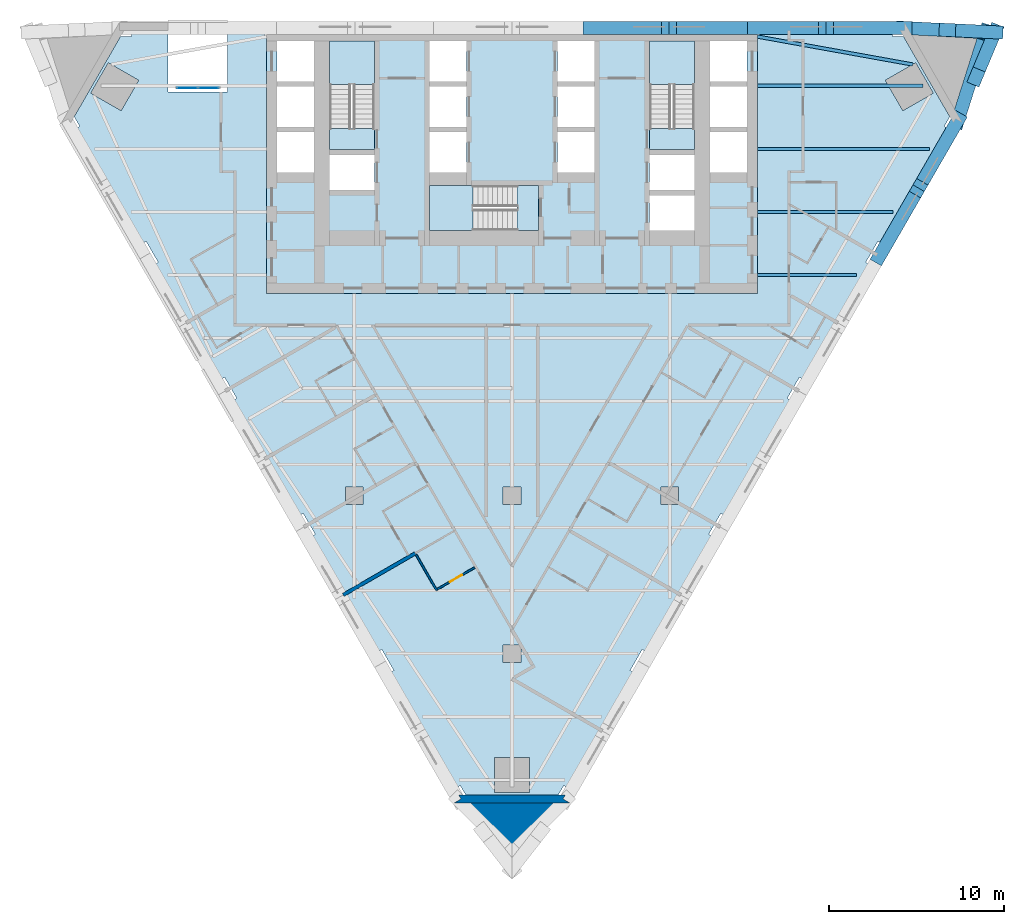
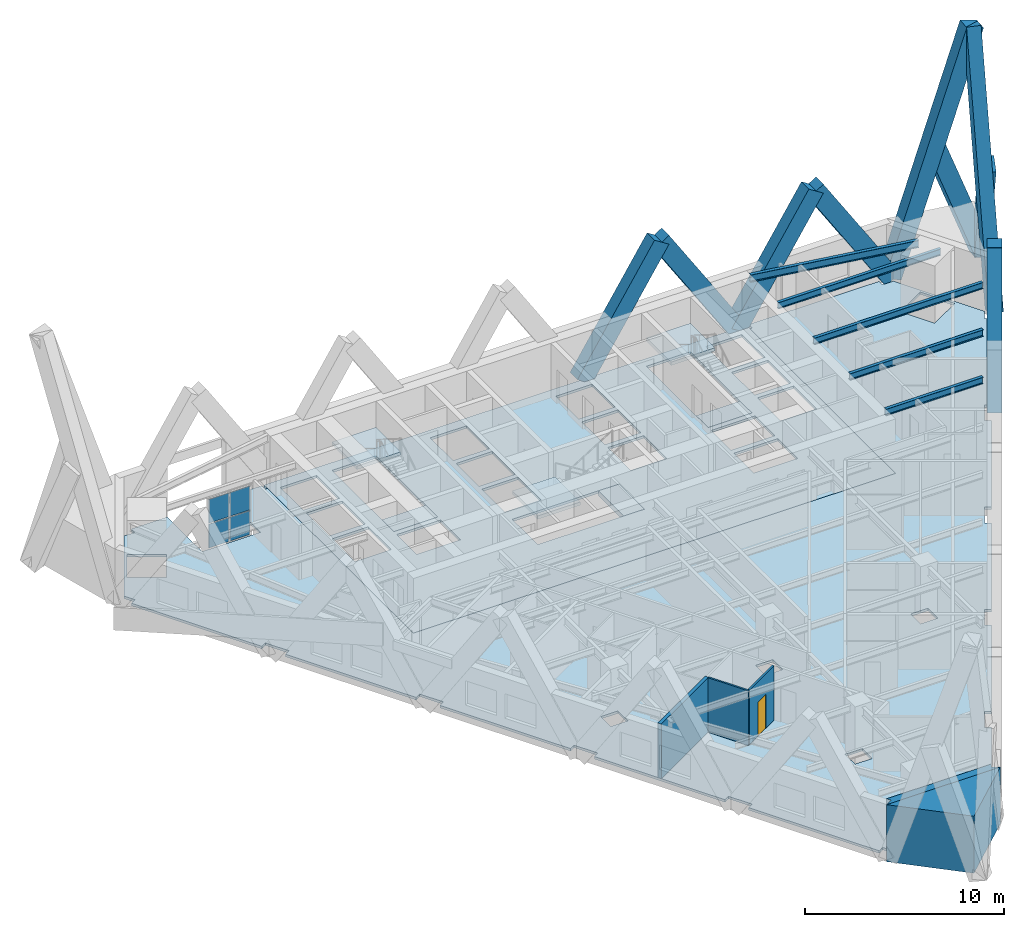
# One storey, part 3 of 11: 10 members, 8 slabs, 5 beams, 5 walls, 4 plates, 1 door, 1 opening, 4 elements without a shape of their own.
"""IFC4 building model written with IfcOpenShell, lengths in metres."""

from ifc_helpers import new_model, si_unit, direction, frame, frame_2d, origin, origin_2d, place, context, subcontext, project, spatial, polyline, rectangle, i_section, outline, extrude, material, layer, layer_set, material_profile, profile_set, type_object, element, fill, aggregate, save


model = new_model("IFC4")

# Units and contexts
model_context = context("Model", 3, precision=1e-05, world=origin(), true_north=direction((0.0, 1.0)))
body_context = subcontext(model_context, "Body", "Model", "MODEL_VIEW")
ifc_project = project(units=[si_unit("LENGTHUNIT", "METRE"), si_unit("AREAUNIT", "SQUARE_METRE"), si_unit("VOLUMEUNIT", "CUBIC_METRE"), si_unit("PLANEANGLEUNIT", "RADIAN"), si_unit("MASSUNIT", "GRAM", prefix="KILO")], contexts=[model_context])

# Site, building, storey
site_placement = place(None, origin())
site = spatial("IfcSite", under=ifc_project, at=site_placement, CompositionType="ELEMENT")
building_placement = place(site_placement, origin())
building = spatial("IfcBuilding", under=site, at=building_placement, Name="Aloe Facet Convention Tower", CompositionType="ELEMENT")
storey_placement = place(building_placement, frame((0.0, 0.0, 49.0)))
storey = spatial("IfcBuildingStorey", under=building, at=storey_placement, Name="L10", CompositionType="ELEMENT", Elevation=49.0)

# Beams
ifc_material_1 = material(Name="Steel S355", Category="steel")
ifc_material_profile_1 = material_profile(ifc_material_1, i_section(OverallWidth=0.177734375, OverallDepth=0.402587890625, WebThickness=0.0078125, FlangeThickness=0.010986328125, FilletRadius=0.01025390625, at=origin_2d()), Name="UB 406x178x54")
ifc_profile_set_1 = profile_set([ifc_material_profile_1], Name="Steel S355")
beam_type_1 = type_object("IfcBeamType", Name="SF-B-UB406x178x54", PredefinedType="BEAM", material=ifc_profile_set_1)
beam_1_placement = place(storey_placement, frame((94.0, 120.60009765625, 3.148681640625), z_axis=(1.0, 0.0, 0.0), x_axis=(0.0, 1.0, 0.0)))
element("IfcBeam", 1, at=beam_1_placement, inside=storey, type_object=beam_type_1, Name="Floor beam FB-Z1E-047", PredefinedType="BEAM", context=body_context, shape_type="SweptSolid", body=[
    extrude(i_section(OverallWidth=0.177734375, OverallDepth=0.402587890625, WebThickness=0.0078125, FlangeThickness=0.010986328125, FilletRadius=0.01025390625, at=origin_2d()), origin(), (0.0, 0.0, 1.0), 5.648681640625),
])
beam_2_placement = place(storey_placement, frame((94.0, 124.199951171875, 3.148681640625), z_axis=(1.0, 0.0, 0.0), x_axis=(0.0, 1.0, 0.0)))
element("IfcBeam", 2, at=beam_2_placement, inside=storey, type_object=beam_type_1, Name="Floor beam FB-Z1E-048", PredefinedType="BEAM", context=body_context, shape_type="SweptSolid", body=[
    extrude(i_section(OverallWidth=0.177734375, OverallDepth=0.402587890625, WebThickness=0.0078125, FlangeThickness=0.010986328125, FilletRadius=0.01025390625, at=origin_2d()), origin(), (0.0, 0.0, 1.0), 7.72705078125),
])
beam_3_placement = place(storey_placement, frame((94.0, 127.800048828125, 3.148681640625), z_axis=(1.0, 0.0, 0.0), x_axis=(0.0, 1.0, 0.0)))
element("IfcBeam", 3, at=beam_3_placement, inside=storey, type_object=beam_type_1, Name="Floor beam FB-Z1E-049", PredefinedType="BEAM", context=body_context, shape_type="SweptSolid", body=[
    extrude(i_section(OverallWidth=0.177734375, OverallDepth=0.402587890625, WebThickness=0.0078125, FlangeThickness=0.010986328125, FilletRadius=0.01025390625, at=origin_2d()), origin(), (0.0, 0.0, 1.0), 9.805419921875),
])
beam_4_placement = place(storey_placement, frame((94.0, 131.39990234375, 3.148681640625), z_axis=(1.0, 0.0, 0.0), x_axis=(0.0, 1.0, 0.0)))
element("IfcBeam", 4, at=beam_4_placement, inside=storey, type_object=beam_type_1, Name="Floor beam FB-Z1E-050", PredefinedType="BEAM", context=body_context, shape_type="SweptSolid", body=[
    extrude(i_section(OverallWidth=0.177734375, OverallDepth=0.402587890625, WebThickness=0.0078125, FlangeThickness=0.010986328125, FilletRadius=0.01025390625, at=origin_2d()), origin(), (0.0, 0.0, 1.0), 9.44091796875),
])
ifc_material_2 = material(Name="Steel S355", Category="steel")
ifc_material_profile_2 = material_profile(ifc_material_2, i_section(OverallWidth=0.18994140625, OverallDepth=0.453369140625, WebThickness=0.008544921875, FlangeThickness=0.0126953125, FilletRadius=0.01025390625, at=origin_2d()), Name="UB 457x191x67")
ifc_profile_set_2 = profile_set([ifc_material_profile_2], Name="Steel S355")
beam_type_2 = type_object("IfcBeamType", Name="SF-B-UB457x191x67", PredefinedType="BEAM", material=ifc_profile_set_2)
beam_5_placement = place(storey_placement, frame((94.0, 134.205078125, 3.123291015625), z_axis=(0.984194951593, -0.177088388265, 0.0), x_axis=(0.177088388265, 0.984194951593, 0.0)))
element("IfcBeam", 5, at=beam_5_placement, inside=storey, type_object=beam_type_2, Name="Floor beam FB-Z1E-007", PredefinedType="BEAM", context=body_context, shape_type="SweptSolid", body=[
    extrude(i_section(OverallWidth=0.18994140625, OverallDepth=0.453369140625, WebThickness=0.008544921875, FlangeThickness=0.0126953125, FilletRadius=0.01025390625, at=origin_2d()), origin(), (0.0, 0.0, 1.0), 9.00390625),
])

# Members
ifc_material_3 = material(Name="Concrete C60/75, bronze oxide finish", Category="concrete")
ifc_material_profile_3 = material_profile(ifc_material_3, rectangle(XDim=0.75, YDim=1.0, at=origin_2d()), Name="STW-LM")
ifc_profile_set_3 = profile_set([ifc_material_profile_3], Name="Concrete C60/75, bronze oxide finish")
member_type = type_object("IfcMemberType", Name="STW-LM", PredefinedType="BRACE", material=ifc_profile_set_3)
for number, where, z_axis, x_axis, name in (
    (6, (102.39990234375, 134.699951171875, 0.0), (-0.539052029218, 0.0, 0.84227246767), (0.0, -1.0, 0.0), "Lattice member LM-Z1-F1-R2-01"),
    (7, (93.43994140625, 134.699951171875, 0.0), (0.539052029218, 0.0, 0.84227246767), (0.0, 1.0, 0.0), "Lattice member LM-Z1-F1-R2-02"),
    (8, (93.43994140625, 134.699951171875, 0.0), (-0.539052029218, 0.0, 0.84227246767), (0.0, -1.0, 0.0), "Lattice member LM-Z1-F1-R2-03"),
    (9, (84.47998046875, 134.699951171875, 0.0), (0.539052029218, 0.0, 0.84227246767), (0.0, 1.0, 0.0), "Lattice member LM-Z1-F1-R2-04"),
    (10, (100.960205078125, 121.674560546875, 0.0), (0.269524411036, 0.466842718276, 0.842267456482), (-0.866031314237, 0.499989762656, 0.0), "Lattice member LM-Z1-F3-R2-09"),
    (11, (105.440185546875, 129.434326171875, 0.0), (-0.269524411036, -0.466842718276, 0.842267456482), (0.866031314237, -0.499989762656, 0.0), "Lattice member LM-Z1-F3-R2-10"),
):
    element("IfcMember", number, at=place(storey_placement, frame(where, z_axis=z_axis, x_axis=x_axis)), inside=storey, type_object=member_type, Name=name, PredefinedType="BRACE", context=body_context, shape_type="SweptSolid", body=[
        extrude(rectangle(XDim=0.75, YDim=1.0, at=origin_2d()), origin(), (0.0, 0.0, 1.0), 8.310791015625),
    ])
member_1_placement = place(storey_placement, frame((105.440185546875, 129.434326171875, 0.0), z_axis=(0.106218578682, 0.334998311708, 0.936212446347), x_axis=(-0.953230964146, 0.302242831168, 0.0)))
element("IfcMember", 12, at=member_1_placement, inside=storey, type_object=member_type, Name="Lattice member LM-Z1-F6-R2-01", PredefinedType="BRACE", context=body_context, shape_type="SweptSolid", body=[
    extrude(rectangle(XDim=0.75, YDim=1.0, at=origin_2d()), origin(), (0.0, 0.0, 1.0), 14.953857421875),
])
member_2_placement = place(storey_placement, frame((107.541748046875, 134.450439453125, 0.0), z_axis=(-0.139917380428, -0.333993235353, 0.932132847502), x_axis=(0.922336435031, -0.386387759399, 0.0)))
element("IfcMember", 13, at=member_2_placement, inside=storey, type_object=member_type, Name="Lattice member LM-Z1-F6-R2-02", PredefinedType="BRACE", context=body_context, shape_type="SweptSolid", body=[
    extrude(rectangle(XDim=0.75, YDim=1.0, at=origin_2d()), origin(), (0.0, 0.0, 1.0), 7.640869140625),
])
member_3_placement = place(storey_placement, frame((102.39990234375, 134.699951171875, 0.0), z_axis=(0.313859826399, -0.017365839859, 0.949310506093), x_axis=(0.055245422909, 0.998472805462, 0.0)))
element("IfcMember", 14, at=member_3_placement, inside=storey, type_object=member_type, Name="Lattice member LM-Z1-F6-R2-03", PredefinedType="BRACE", context=body_context, shape_type="SweptSolid", body=[
    extrude(rectangle(XDim=0.75, YDim=1.0, at=origin_2d()), origin(), (0.0, 0.0, 1.0), 14.74755859375),
])
member_4_placement = place(storey_placement, frame((107.541748046875, 134.450439453125, 0.0), z_axis=(-0.344688067841, 0.016735148497, 0.938568095927), x_axis=(-0.048494451507, -0.998823451954, 0.0)))
element("IfcMember", 15, at=member_4_placement, inside=storey, type_object=member_type, Name="Lattice member LM-Z1-F6-R2-04", PredefinedType="BRACE", context=body_context, shape_type="SweptSolid", body=[
    extrude(rectangle(XDim=0.75, YDim=1.0, at=origin_2d()), origin(), (0.0, 0.0, 1.0), 7.8486328125),
])

# Slabs
ifc_material_4 = material(Name="Concrete C80/95", Category="concrete")
ifc_layer_1 = layer(ifc_material_4, 0.14990234375)
ifc_layer_set_1 = layer_set([ifc_layer_1], Name="CR-S-FLOOR150-C8095")
slab_type_1 = type_object("IfcSlabType", Name="CR-S-FLOOR150-C8095", PredefinedType="FLOOR", material=ifc_layer_set_1)
slab_1_placement = place(storey_placement, frame((0.0, 0.0, -0.14990234375)))
element("IfcSlab", 16, at=slab_1_placement, inside=storey, type_object=slab_type_1, Name="Core floor L10", PredefinedType="FLOOR", context=body_context, shape_type="SweptSolid", body=[
    extrude(outline(polyline([(69.300048828125, 134.550048828125), (71.85009765625, 134.550048828125), (72.75, 134.550048828125), (74.699951171875, 134.550048828125), (75.60009765625, 134.550048828125), (77.10009765625, 134.550048828125), (78.0, 134.550048828125), (82.0, 134.550048828125), (82.89990234375, 134.550048828125), (84.39990234375, 134.550048828125), (85.300048828125, 134.550048828125), (87.25, 134.550048828125), (88.14990234375, 134.550048828125), (90.699951171875, 134.550048828125), (91.0, 134.550048828125), (94.0, 134.550048828125), (94.0, 131.949951171875), (94.0, 131.050048828125), (94.0, 129.35009765625), (94.0, 128.449951171875), (94.0, 126.449951171875), (94.0, 125.85009765625), (94.0, 124.9736328125), (94.0, 123.923583984375), (94.0, 122.834228515625), (94.0, 121.7841796875), (94.0, 119.550048828125), (91.300048828125, 119.550048828125), (90.699951171875, 119.550048828125), (89.60009765625, 119.550048828125), (88.550048828125, 119.550048828125), (87.89990234375, 119.550048828125), (86.85009765625, 119.550048828125), (85.699951171875, 119.550048828125), (84.64990234375, 119.550048828125), (83.699951171875, 119.550048828125), (82.64990234375, 119.550048828125), (81.75, 119.550048828125), (80.699951171875, 119.550048828125), (79.61669921875, 119.550048828125), (78.566650390625, 119.550048828125), (77.4833984375, 119.550048828125), (76.433349609375, 119.550048828125), (75.35009765625, 119.550048828125), (74.300048828125, 119.550048828125), (73.14990234375, 119.550048828125), (72.10009765625, 119.550048828125), (69.300048828125, 119.550048828125), (68.699951171875, 119.550048828125), (66.0, 119.550048828125), (66.0, 121.5), (66.0, 122.550048828125), (66.0, 123.639404296875), (66.0, 124.689453125), (66.0, 125.85009765625), (66.0, 126.449951171875), (66.0, 128.449951171875), (66.0, 129.35009765625), (66.0, 131.050048828125), (66.0, 131.949951171875), (66.0, 134.550048828125), (69.0, 134.550048828125), (69.300048828125, 134.550048828125)]), holes=[polyline([(75.300048828125, 123.14990234375), (80.298828125, 123.14990234375), (81.5, 123.14990234375), (81.5, 125.699951171875), (80.298828125, 125.699951171875), (75.300048828125, 125.699951171875), (75.300048828125, 123.14990234375)]), polyline([(69.60009765625, 125.449951171875), (72.14990234375, 125.449951171875), (72.14990234375, 127.449951171875), (69.60009765625, 127.449951171875), (69.60009765625, 125.449951171875)]), polyline([(66.60009765625, 126.449951171875), (68.699951171875, 126.449951171875), (68.699951171875, 128.75), (66.60009765625, 128.75), (66.60009765625, 126.449951171875)]), polyline([(75.300048828125, 126.449951171875), (77.39990234375, 126.449951171875), (77.39990234375, 128.75), (75.300048828125, 128.75), (75.300048828125, 126.449951171875)]), polyline([(66.60009765625, 129.050048828125), (68.699951171875, 129.050048828125), (68.699951171875, 131.35009765625), (66.60009765625, 131.35009765625), (66.60009765625, 129.050048828125)]), polyline([(75.300048828125, 129.050048828125), (77.39990234375, 129.050048828125), (77.39990234375, 131.35009765625), (75.300048828125, 131.35009765625), (75.300048828125, 129.050048828125)]), polyline([(69.60009765625, 133.949951171875), (69.60009765625, 128.951171875), (69.60009765625, 127.75), (72.14990234375, 127.75), (72.14990234375, 128.951171875), (72.14990234375, 133.949951171875), (69.60009765625, 133.949951171875)]), polyline([(66.60009765625, 133.949951171875), (66.60009765625, 131.64990234375), (68.699951171875, 131.64990234375), (68.699951171875, 133.949951171875), (66.60009765625, 133.949951171875)]), polyline([(75.300048828125, 133.949951171875), (75.300048828125, 131.64990234375), (77.39990234375, 131.64990234375), (77.39990234375, 133.949951171875), (75.300048828125, 133.949951171875)]), polyline([(87.85009765625, 123.14990234375), (90.39990234375, 123.14990234375), (90.39990234375, 125.14990234375), (87.85009765625, 125.14990234375), (87.85009765625, 123.14990234375)]), polyline([(87.85009765625, 125.449951171875), (90.39990234375, 125.449951171875), (90.39990234375, 127.449951171875), (87.85009765625, 127.449951171875), (87.85009765625, 125.449951171875)]), polyline([(82.60009765625, 126.449951171875), (84.699951171875, 126.449951171875), (84.699951171875, 128.75), (82.60009765625, 128.75), (82.60009765625, 126.449951171875)]), polyline([(91.300048828125, 126.449951171875), (93.39990234375, 126.449951171875), (93.39990234375, 128.75), (91.300048828125, 128.75), (91.300048828125, 126.449951171875)]), polyline([(82.60009765625, 129.050048828125), (84.699951171875, 129.050048828125), (84.699951171875, 131.35009765625), (82.60009765625, 131.35009765625), (82.60009765625, 129.050048828125)]), polyline([(91.300048828125, 129.050048828125), (93.39990234375, 129.050048828125), (93.39990234375, 131.35009765625), (91.300048828125, 131.35009765625), (91.300048828125, 129.050048828125)]), polyline([(87.85009765625, 133.949951171875), (87.85009765625, 128.951171875), (87.85009765625, 127.75), (90.39990234375, 127.75), (90.39990234375, 128.951171875), (90.39990234375, 133.949951171875), (87.85009765625, 133.949951171875)]), polyline([(82.60009765625, 133.949951171875), (82.60009765625, 131.64990234375), (84.699951171875, 131.64990234375), (84.699951171875, 133.949951171875), (82.60009765625, 133.949951171875)]), polyline([(91.300048828125, 133.949951171875), (91.300048828125, 131.64990234375), (93.39990234375, 131.64990234375), (93.39990234375, 133.949951171875), (91.300048828125, 133.949951171875)])]), origin(), (0.0, 0.0, 1.0), 0.14990234375),
])
ifc_material_5 = material(Name="Concrete C80/95", Category="concrete")
ifc_layer_2 = layer(ifc_material_5, 0.300048828125)
ifc_layer_set_2 = layer_set([ifc_layer_2], Name="CR-S-FLOOR300-C8095")
slab_type_2 = type_object("IfcSlabType", Name="CR-S-FLOOR300-C8095", PredefinedType="FLOOR", material=ifc_layer_set_2)
slab_2_placement = place(storey_placement, frame((0.0, 0.0, -0.300048828125)))
element("IfcSlab", 17, at=slab_2_placement, inside=storey, type_object=slab_type_2, Name="Stair landing floor L10", PredefinedType="FLOOR", context=body_context, shape_type="SweptSolid", body=[
    extrude(outline(polyline([(72.14990234375, 127.75), (72.14990234375, 128.951171875), (69.60009765625, 128.951171875), (69.60009765625, 127.75), (72.14990234375, 127.75)])), origin(), (0.0, 0.0, 1.0), 0.300048828125),
])
slab_3_placement = place(storey_placement, frame((0.0, 0.0, -0.300048828125)))
element("IfcSlab", 18, at=slab_3_placement, inside=storey, type_object=slab_type_2, Name="Stair landing floor L10", PredefinedType="FLOOR", context=body_context, shape_type="SweptSolid", body=[
    extrude(outline(polyline([(90.39990234375, 127.75), (90.39990234375, 128.951171875), (87.85009765625, 128.951171875), (87.85009765625, 127.75), (90.39990234375, 127.75)])), origin(), (0.0, 0.0, 1.0), 0.300048828125),
])
slab_4_placement = place(storey_placement, frame((0.0, 0.0, -0.300048828125)))
element("IfcSlab", 19, at=slab_4_placement, inside=storey, type_object=slab_type_2, Name="Stair landing floor L10", PredefinedType="FLOOR", context=body_context, shape_type="SweptSolid", body=[
    extrude(outline(polyline([(81.5, 125.699951171875), (80.298828125, 125.699951171875), (80.298828125, 123.14990234375), (81.5, 123.14990234375), (81.5, 125.699951171875)])), origin(), (0.0, 0.0, 1.0), 0.300048828125),
])

# Stair, slab
ifc_material_6 = material(Name="Concrete C50/60", Category="concrete")
stair_type = type_object("IfcStairType", Name="CR-ST-20R", PredefinedType="HALF_TURN_STAIR", material=ifc_material_6)
stair_1_placement = place(storey_placement, origin())
stair_1 = element("IfcStair", 20, at=stair_1_placement, inside=storey, type_object=stair_type, Name="L10 Protected exit stair ST1", PredefinedType="HALF_TURN_STAIR")
ifc_material_7 = material(Name="Concrete C50/60", Category="concrete")
ifc_layer_3 = layer(ifc_material_7, 0.199951171875)
ifc_layer_set_3 = layer_set([ifc_layer_3], Name="CR-SL-LANDING")
slab_type_3 = type_object("IfcSlabType", Name="CR-SL-LANDING", PredefinedType="LANDING", material=ifc_layer_set_3)
slab_5_placement = place(storey_placement, frame((0.0, 0.0, 1.550048828125)))
slab_5 = element("IfcSlab", 21, at=slab_5_placement, type_object=slab_type_3, Name="ST1 landing 1", PredefinedType="LANDING", context=body_context, shape_type="SweptSolid", body=[
    extrude(outline(polyline([(72.14990234375, 131.469970703125), (72.14990234375, 133.949951171875), (69.60009765625, 133.949951171875), (69.60009765625, 131.469970703125), (72.14990234375, 131.469970703125)])), origin(), (0.0, 0.0, 1.0), 0.199951171875),
])
aggregate(stair_1, [slab_5])

stair_2_placement = place(storey_placement, origin())
stair_2 = element("IfcStair", 22, at=stair_2_placement, inside=storey, type_object=stair_type, Name="L10 Protected exit stair ST2", PredefinedType="HALF_TURN_STAIR")
slab_6_placement = place(storey_placement, frame((0.0, 0.0, 1.550048828125)))
slab_6 = element("IfcSlab", 23, at=slab_6_placement, type_object=slab_type_3, Name="ST2 landing 1", PredefinedType="LANDING", context=body_context, shape_type="SweptSolid", body=[
    extrude(outline(polyline([(90.39990234375, 131.469970703125), (90.39990234375, 133.949951171875), (87.85009765625, 133.949951171875), (87.85009765625, 131.469970703125), (90.39990234375, 131.469970703125)])), origin(), (0.0, 0.0, 1.0), 0.199951171875),
])
aggregate(stair_2, [slab_6])

stair_3_placement = place(storey_placement, origin())
stair_3 = element("IfcStair", 24, at=stair_3_placement, inside=storey, type_object=stair_type, Name="L10 Protected exit stair ST3", PredefinedType="HALF_TURN_STAIR")
slab_7_placement = place(storey_placement, frame((0.0, 0.0, 1.550048828125)))
slab_7 = element("IfcSlab", 25, at=slab_7_placement, type_object=slab_type_3, Name="ST3 landing 1", PredefinedType="LANDING", context=body_context, shape_type="SweptSolid", body=[
    extrude(outline(polyline([(77.780029296875, 125.699951171875), (75.300048828125, 125.699951171875), (75.300048828125, 123.14990234375), (77.780029296875, 123.14990234375), (77.780029296875, 125.699951171875)])), origin(), (0.0, 0.0, 1.0), 0.199951171875),
])
aggregate(stair_3, [slab_7])

# Curtain wall, plates
ifc_material_8 = material(Name="Aluminium, anodised", Category="aluminium")
curtain_wall_type = type_object("IfcCurtainWallType", Name="EV-CW-TERRACE", PredefinedType="USERDEFINED", material=ifc_material_8)
curtain_wall_placement = place(storey_placement, origin())
curtain_wall = element("IfcCurtainWall", 26, at=curtain_wall_placement, inside=storey, type_object=curtain_wall_type, Name="CW-T01", ObjectType="TERRACE BACK GLAZING", PredefinedType="USERDEFINED")
ifc_material_9 = material(Name="Clear double glazing", Category="glass")
ifc_layer_4 = layer(ifc_material_9, 0.028076171875)
ifc_layer_set_4 = layer_set([ifc_layer_4], Name="EV-PANEL-TERRACE")
plate_type = type_object("IfcPlateType", Name="EV-PANEL-TERRACE", PredefinedType="CURTAIN_PANEL", material=ifc_layer_set_4)
plate_1_placement = place(storey_placement, frame((62.68994140625, 131.27490234375, -0.08984375), z_axis=(0.0, 0.0, 1.0), x_axis=(-1.0, 0.0, 0.0)))
plate_1 = element("IfcPlate", 27, at=plate_1_placement, type_object=plate_type, Name="CW-T01 panel 1.1", PredefinedType="CURTAIN_PANEL", context=body_context, shape_type="SweptSolid", body=[
    extrude(rectangle(XDim=1.159912109375, YDim=0.028076171875, at=origin_2d()), origin(), (0.0, 0.0, 1.0), 1.458740234375),
])
plate_2_placement = place(storey_placement, frame((62.68994140625, 131.27490234375, 1.4287109375), z_axis=(0.0, 0.0, 1.0), x_axis=(-1.0, 0.0, 0.0)))
plate_2 = element("IfcPlate", 28, at=plate_2_placement, type_object=plate_type, Name="CW-T01 panel 1.2", PredefinedType="CURTAIN_PANEL", context=body_context, shape_type="SweptSolid", body=[
    extrude(rectangle(XDim=1.159912109375, YDim=0.028076171875, at=origin_2d()), origin(), (0.0, 0.0, 1.0), 1.458740234375),
])
plate_3_placement = place(storey_placement, frame((61.469970703125, 131.27490234375, -0.08984375), z_axis=(0.0, 0.0, 1.0), x_axis=(-1.0, 0.0, 0.0)))
plate_3 = element("IfcPlate", 29, at=plate_3_placement, type_object=plate_type, Name="CW-T01 panel 2.1", PredefinedType="CURTAIN_PANEL", context=body_context, shape_type="SweptSolid", body=[
    extrude(rectangle(XDim=1.159912109375, YDim=0.028076171875, at=origin_2d()), origin(), (0.0, 0.0, 1.0), 1.458740234375),
])
plate_4_placement = place(storey_placement, frame((61.469970703125, 131.27490234375, 1.4287109375), z_axis=(0.0, 0.0, 1.0), x_axis=(-1.0, 0.0, 0.0)))
plate_4 = element("IfcPlate", 30, at=plate_4_placement, type_object=plate_type, Name="CW-T01 panel 2.2", PredefinedType="CURTAIN_PANEL", context=body_context, shape_type="SweptSolid", body=[
    extrude(rectangle(XDim=1.159912109375, YDim=0.028076171875, at=origin_2d()), origin(), (0.0, 0.0, 1.0), 1.458740234375),
])
aggregate(curtain_wall, [plate_1, plate_2, plate_3, plate_4])

# Slab
ifc_material_10 = material(Name="Concrete C35/45", Category="concrete")
ifc_layer_5 = layer(ifc_material_10, 0.14990234375)
ifc_layer_set_5 = layer_set([ifc_layer_5], Name="SF-FS-150")
slab_type_4 = type_object("IfcSlabType", Name="SF-FS-150", PredefinedType="FLOOR", material=ifc_layer_set_5)
slab_8_placement = place(storey_placement, frame((0.0, 0.0, -0.14990234375)))
element("IfcSlab", 31, at=slab_8_placement, inside=storey, type_object=slab_type_4, Name="Floor slab L10-1", PredefinedType="FLOOR", context=body_context, shape_type="SweptSolid", body=[
    extrude(outline(polyline([(104.978271484375, 129.63427734375), (104.71044921875, 129.170166015625), (104.662353515625, 129.0869140625), (104.965576171875, 128.912109375), (101.175048828125, 122.346923828125), (100.8720703125, 122.52197265625), (100.658935546875, 122.15283203125), (100.644287109375, 122.127685546875), (100.644287109375, 122.127685546875), (100.527099609375, 121.924560546875), (100.43994140625, 121.773681640625), (100.23046875, 121.410400390625), (100.182373046875, 121.327392578125), (100.485595703125, 121.15234375), (96.695068359375, 114.58740234375), (96.39208984375, 114.76220703125), (96.343994140625, 114.67919921875), (96.127685546875, 114.304443359375), (95.91552734375, 113.93701171875), (95.75048828125, 113.65087890625), (95.702392578125, 113.56787109375), (96.005615234375, 113.392822265625), (92.215087890625, 106.82763671875), (91.912109375, 107.002685546875), (91.449951171875, 106.202392578125), (91.4296875, 106.167236328125), (91.222412109375, 105.80810546875), (91.525390625, 105.63330078125), (87.735107421875, 99.068115234375), (87.431884765625, 99.2431640625), (87.384033203125, 99.159912109375), (87.254638671875, 98.935791015625), (86.969970703125, 98.44287109375), (86.790283203125, 98.1318359375), (86.790283203125, 98.1318359375), (86.742431640625, 98.048583984375), (87.04541015625, 97.87353515625), (83.255126953125, 91.30859375), (82.951904296875, 91.4833984375), (82.635986328125, 90.936279296875), (77.364013671875, 90.936279296875), (77.048095703125, 91.4833984375), (76.744873046875, 91.30859375), (72.95458984375, 97.87353515625), (73.257568359375, 98.048583984375), (73.209716796875, 98.1318359375), (73.14404296875, 98.245361328125), (72.91748046875, 98.6376953125), (72.737548828125, 98.94970703125), (72.615966796875, 99.159912109375), (72.568115234375, 99.2431640625), (72.264892578125, 99.068115234375), (68.474609375, 105.63330078125), (68.777587890625, 105.80810546875), (68.550048828125, 106.202392578125), (68.50830078125, 106.27490234375), (68.432861328125, 106.405517578125), (68.315673828125, 106.6083984375), (68.087890625, 107.002685546875), (67.784912109375, 106.82763671875), (63.994384765625, 113.392822265625), (64.297607421875, 113.56787109375), (64.24951171875, 113.65087890625), (64.070068359375, 113.962158203125), (63.952880859375, 114.1650390625), (63.935302734375, 114.1953125), (63.878662109375, 114.29345703125), (63.835693359375, 114.367919921875), (63.656005859375, 114.67919921875), (63.60791015625, 114.76220703125), (63.304931640625, 114.58740234375), (59.514404296875, 121.15234375), (59.817626953125, 121.327392578125), (59.76953125, 121.410400390625), (59.590087890625, 121.7216796875), (59.472900390625, 121.924560546875), (59.396484375, 122.056640625), (59.1279296875, 122.52197265625), (58.824951171875, 122.346923828125), (55.034423828125, 128.912109375), (55.337646484375, 129.0869140625), (55.28955078125, 129.170166015625), (55.021728515625, 129.63427734375), (57.65771484375, 134.199951171875), (58.193603515625, 134.199951171875), (58.28955078125, 134.199951171875), (58.28955078125, 134.550048828125), (60.3798828125, 134.550048828125), (60.3798828125, 131.050048828125), (63.780029296875, 131.050048828125), (63.780029296875, 134.550048828125), (65.870361328125, 134.550048828125), (65.870361328125, 134.199951171875), (65.96630859375, 134.199951171875), (66.0, 134.199951171875), (66.0, 131.949951171875), (66.0, 131.050048828125), (66.0, 129.35009765625), (66.0, 128.449951171875), (66.0, 126.449951171875), (66.0, 125.85009765625), (66.0, 124.689453125), (66.0, 123.639404296875), (66.0, 122.550048828125), (66.0, 121.5), (66.0, 119.550048828125), (68.699951171875, 119.550048828125), (69.300048828125, 119.550048828125), (72.10009765625, 119.550048828125), (73.14990234375, 119.550048828125), (74.300048828125, 119.550048828125), (75.35009765625, 119.550048828125), (76.433349609375, 119.550048828125), (77.4833984375, 119.550048828125), (78.566650390625, 119.550048828125), (79.61669921875, 119.550048828125), (80.699951171875, 119.550048828125), (81.75, 119.550048828125), (82.64990234375, 119.550048828125), (83.699951171875, 119.550048828125), (84.64990234375, 119.550048828125), (85.699951171875, 119.550048828125), (86.85009765625, 119.550048828125), (87.89990234375, 119.550048828125), (88.550048828125, 119.550048828125), (89.60009765625, 119.550048828125), (90.699951171875, 119.550048828125), (91.300048828125, 119.550048828125), (94.0, 119.550048828125), (94.0, 121.7841796875), (94.0, 122.834228515625), (94.0, 123.923583984375), (94.0, 124.9736328125), (94.0, 125.85009765625), (94.0, 126.449951171875), (94.0, 128.449951171875), (94.0, 129.35009765625), (94.0, 131.050048828125), (94.0, 131.949951171875), (94.0, 134.199951171875), (94.03369140625, 134.199951171875), (94.129638671875, 134.199951171875), (94.129638671875, 134.550048828125), (101.71044921875, 134.550048828125), (101.71044921875, 134.199951171875), (101.806396484375, 134.199951171875), (102.34228515625, 134.199951171875), (104.978271484375, 129.63427734375)]), holes=[polyline([(70.5, 107.5), (71.5, 107.5), (71.5, 108.5), (70.5, 108.5), (70.5, 107.5)]), polyline([(57.70166015625, 129.97607421875), (58.70166015625, 131.7080078125), (56.969482421875, 132.7080078125), (55.969482421875, 130.97607421875), (57.70166015625, 129.97607421875)]), polyline([(79.0, 93.086181640625), (79.0, 91.086181640625), (81.0, 91.086181640625), (81.0, 93.086181640625), (79.0, 93.086181640625)]), polyline([(79.5, 98.5), (80.5, 98.5), (80.5, 99.5), (79.5, 99.5), (79.5, 98.5)]), polyline([(79.5, 107.5), (80.5, 107.5), (80.5, 108.5), (79.5, 108.5), (79.5, 107.5)]), polyline([(88.5, 108.5), (88.5, 107.5), (89.5, 107.5), (89.5, 108.5), (88.5, 108.5)]), polyline([(102.29833984375, 129.97607421875), (104.030517578125, 130.97607421875), (103.030517578125, 132.7080078125), (101.29833984375, 131.7080078125), (102.29833984375, 129.97607421875)])]), origin(), (0.0, 0.0, 1.0), 0.14990234375),
])

# Walls
ifc_material_11 = material(Name="Precast concrete C40/50", Category="concrete")
ifc_layer_6 = layer(ifc_material_11, 0.449951171875)
ifc_layer_set_6 = layer_set([ifc_layer_6], Name="EV-WALL-PIER")
wall_type_1 = type_object("IfcWallType", Name="EV-WALL-PIER", PredefinedType="SOLIDWALL", material=ifc_layer_set_6)
wall_1_placement = place(storey_placement, frame((0.0, 0.0, -0.14990234375)))
element("IfcWall", 32, at=wall_1_placement, inside=storey, type_object=wall_type_1, Name="EP-L10-B", PredefinedType="SOLIDWALL", context=body_context, shape_type="SweptSolid", body=[
    extrude(outline(polyline([(76.699951171875, 90.486328125), (77.089599609375, 90.711181640625), (76.959716796875, 90.936279296875), (83.040283203125, 90.936279296875), (82.910400390625, 90.711181640625), (83.300048828125, 90.486328125), (76.699951171875, 90.486328125)])), origin(), (0.0, 0.0, 1.0), 3.5),
])
ifc_material_12 = material(Name="Precast concrete C40/50", Category="concrete")
ifc_layer_7 = layer(ifc_material_12, 3.947998046875)
ifc_layer_set_7 = layer_set([ifc_layer_7], Name="EV-WALL-SPINE")
wall_type_2 = type_object("IfcWallType", Name="EV-WALL-SPINE", PredefinedType="SOLIDWALL", material=ifc_layer_set_7)
wall_2_placement = place(storey_placement, frame((0.0, 0.0, -0.14990234375)))
element("IfcWall", 33, at=wall_2_placement, inside=storey, type_object=wall_type_2, Name="SP-S-L10", PredefinedType="SOLIDWALL", context=body_context, shape_type="SweptSolid", body=[
    extrude(outline(polyline([(76.699951171875, 90.486328125), (80.0, 87.403564453125), (83.300048828125, 90.486328125), (76.699951171875, 90.486328125)])), origin(), (0.0, 0.0, 1.0), 3.5),
])
ifc_material_13 = material(Name="Gypsum board partition on steel studs", Category="steel")
ifc_layer_8 = layer(ifc_material_13, 0.10009765625)
ifc_layer_set_8 = layer_set([ifc_layer_8], Name="IN-W-PART")
wall_type_3 = type_object("IfcWallType", Name="IN-W-PART", PredefinedType="PARTITIONING", material=ifc_layer_set_8)
wall_3_placement = place(storey_placement, frame((74.533447265625, 104.63916015625, 0.0), z_axis=(0.0, 0.0, 1.0), x_axis=(0.499938297808, -0.866061024631, 0.0)))
element("IfcWall", 34, at=wall_3_placement, inside=storey, type_object=wall_type_3, Name="Partition L10-W007", PredefinedType="PARTITIONING", context=body_context, shape_type="SweptSolid", body=[
    extrude(rectangle(XDim=2.349853515625, YDim=0.10009765625, at=frame_2d((1.1748046875, 0.0))), origin(), (0.0, 0.0, 1.0), 3.35009765625),
])

# Wall, opening, door
wall_4_placement = place(storey_placement, frame((75.7353515625, 102.67724609375, 0.0), z_axis=(0.0, 0.0, 1.0), x_axis=(0.866040446274, 0.499973944738, 0.0)))
wall_4 = element("IfcWall", 35, at=wall_4_placement, inside=storey, type_object=wall_type_3, Name="Partition L10-W009", PredefinedType="PARTITIONING", context=body_context, shape_type="SweptSolid", body=[
    extrude(rectangle(XDim=2.465087890625, YDim=0.10009765625, at=frame_2d((1.232421875, 0.0))), origin(), (0.0, 0.0, 1.0), 3.35009765625),
])
opening_placement = place(wall_4_placement, frame((0.83251953125, 0.0, 0.0)))
opening = element("IfcOpeningElement", 36, at=opening_placement, cuts=wall_4, Name="Opening L10-022", PredefinedType="OPENING", context=body_context, shape_type="SweptSolid", body=[
    extrude(rectangle(XDim=0.800048828125, YDim=2.10009765625, at=frame_2d((0.39990234375, 1.050048828125))), frame((0.0, 0.06005859375, 0.0), z_axis=(0.0, -1.0, 0.0), x_axis=(1.0, 0.0, 0.0)), (0.0, 0.0, 1.0), 0.1201171875),
])
ifc_material_14 = material(Name="Timber flush door", Category="wood")
door_type = type_object("IfcDoorType", Name="IN-D-BATH", OperationType="SINGLE_SWING_LEFT", PredefinedType="DOOR", material=ifc_material_14)
door_placement = place(opening_placement, origin())
door = element("IfcDoor", 37, at=door_placement, inside=storey, type_object=door_type, Name="Door L10-022", OperationType="SINGLE_SWING_LEFT", OverallHeight=2.10009765625, OverallWidth=0.800048828125, PredefinedType="DOOR", context=body_context, shape_type="SweptSolid", body=[
    extrude(rectangle(XDim=0.800048828125, YDim=2.10009765625, at=frame_2d((0.39990234375, 1.050048828125))), frame((0.0, 0.02490234375, 0.0), z_axis=(0.0, -1.0, 0.0), x_axis=(1.0, 0.0, 0.0)), (0.0, 0.0, 1.0), 0.050048828125),
])
fill(opening, door)

# Wall
ifc_material_15 = material(Name="Gypsum board partition on steel studs", Category="steel")
ifc_layer_9 = layer(ifc_material_15, 0.199951171875)
ifc_layer_set_9 = layer_set([ifc_layer_9], Name="IN-W-PARTY")
wall_type_4 = type_object("IfcWallType", Name="IN-W-PARTY", PredefinedType="PARTITIONING", material=ifc_layer_set_9)
wall_5_placement = place(storey_placement, frame((70.36962890625, 102.3505859375, 0.0), z_axis=(0.0, 0.0, 1.0), x_axis=(0.866033238375, 0.499986429846, 0.0)))
element("IfcWall", 38, at=wall_5_placement, inside=storey, type_object=wall_type_4, Name="Partition L10-W005", PredefinedType="PARTITIONING", context=body_context, shape_type="SweptSolid", body=[
    extrude(rectangle(XDim=4.750244140625, YDim=0.199951171875, at=frame_2d((2.375, 0.0))), origin(), (0.0, 0.0, 1.0), 3.35009765625),
])

save(model, "model.ifc")
